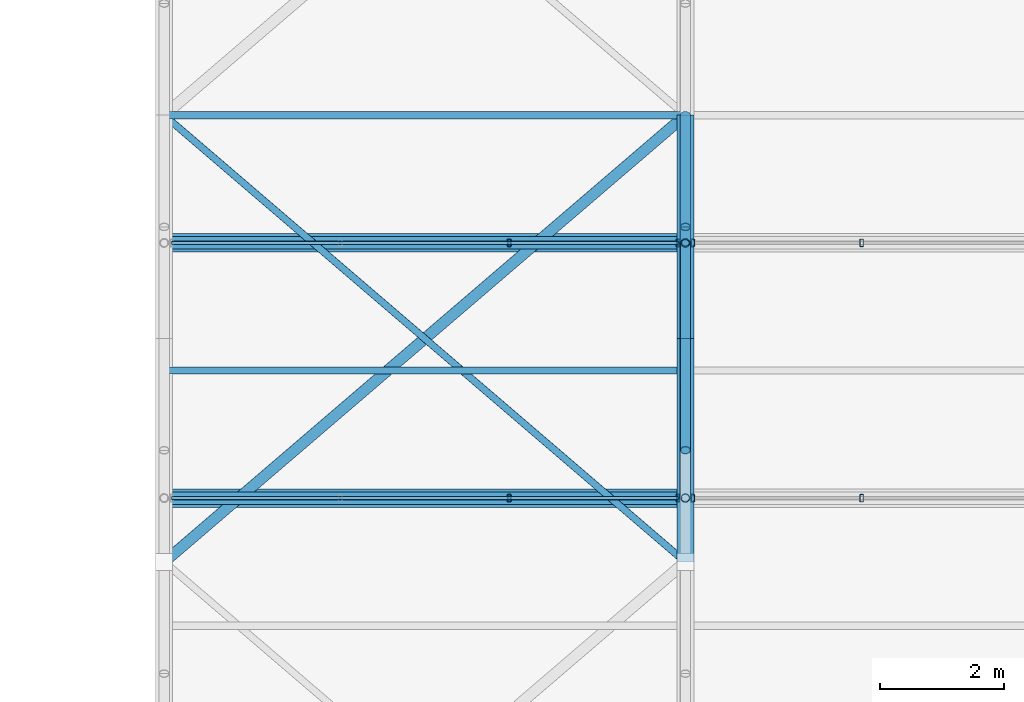
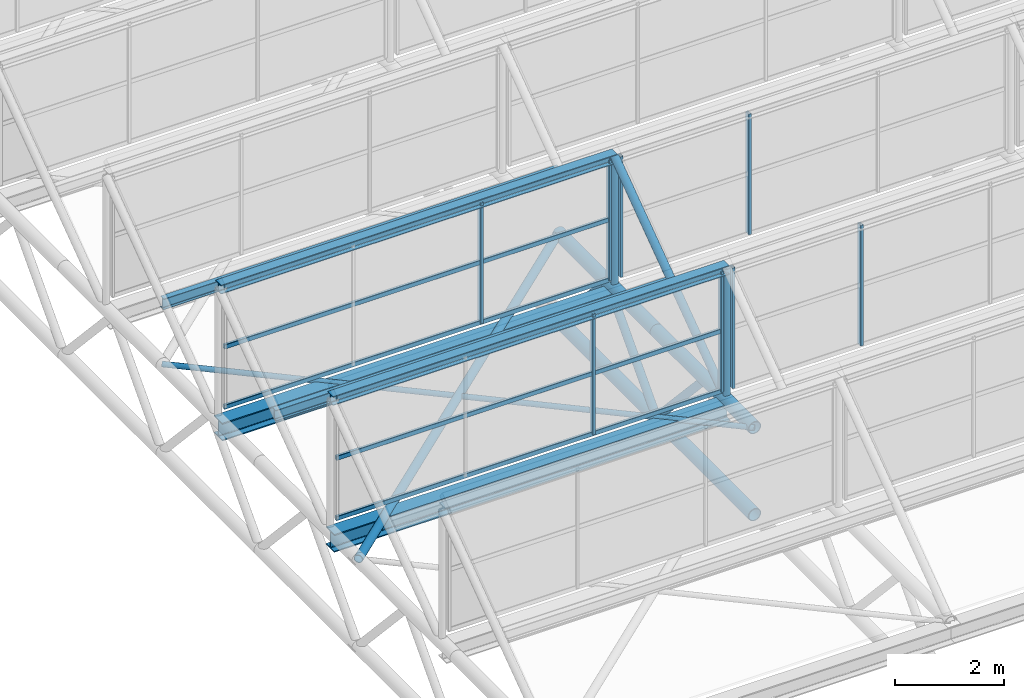
# One storey, part 58 of 134: 26 members, 6 beams, 4 elements without a shape of their own.
"""IFC4 building model written with IfcOpenShell, lengths in metres."""

from ifc_helpers import new_model, si_unit, derived_unit, direction, frame, origin, origin_2d, place, context, subcontext, project, spatial, hollow_rectangle, hollow_circle, i_section, extrude, material, material_profile, profile_set, type_object, element, aggregate, save


model = new_model("IFC4")

# Units and contexts
model_context = context("Model", 3, precision=1e-05, world=origin(), true_north=direction((0.0, 1.0)))
body_context = subcontext(model_context, "Body", "Model", "MODEL_VIEW")
ifc_project = project(units=[si_unit("LENGTHUNIT", "METRE"), si_unit("AREAUNIT", "SQUARE_METRE"), si_unit("VOLUMEUNIT", "CUBIC_METRE"), si_unit("PLANEANGLEUNIT", "RADIAN"), si_unit("MASSUNIT", "GRAM", prefix="KILO"), derived_unit("THERMALTRANSMITTANCEUNIT", [(si_unit("MASSUNIT", "GRAM", prefix="KILO"), 1), (si_unit("TIMEUNIT", "SECOND"), -3), (si_unit("THERMODYNAMICTEMPERATUREUNIT", "KELVIN"), -1)])], contexts=[model_context])

# Site, building, storey
site_placement = place(None, origin())
site = spatial("IfcSite", under=ifc_project, at=site_placement, CompositionType="ELEMENT")
building_placement = place(site_placement, origin())
building = spatial("IfcBuilding", under=site, at=building_placement, Name="Kharveza Railside Sports Centre", CompositionType="ELEMENT")
storey_placement = place(building_placement, frame((0.0, 0.0, 12.89990234375)))
storey = spatial("IfcBuildingStorey", under=building, at=storey_placement, Name="L03", CompositionType="ELEMENT", Elevation=12.89990234375)

# Beams
ifc_material_1 = material(Name="Steel S355J2", Category="steel")
ifc_material_profile_1 = material_profile(ifc_material_1, i_section(OverallWidth=0.300048828125, OverallDepth=0.39990234375, WebThickness=0.013427734375, FlangeThickness=0.02392578125, FilletRadius=0.027099609375, at=origin_2d()), Name="HEB 400")
ifc_profile_set_1 = profile_set([ifc_material_profile_1], Name="Steel S355J2")
beam_type_1 = type_object("IfcBeamType", Name="BM-G07", PredefinedType="T_BEAM", material=ifc_profile_set_1)
for number, where, z_axis, x_axis, name in (
    (1, (92.39990234375, 87.4287109375, 1.760009765625), (1.0, 0.0, 0.0), (0.0, 1.0, 0.0), "BM-V2SAW-VAL-3-1"),
    (2, (92.39990234375, 91.54296875, 1.760009765625), (1.0, 0.0, 0.0), (0.0, 1.0, 0.0), "BM-V2SAW-VAL-4-1"),
):
    element("IfcBeam", number, at=place(storey_placement, frame(where, z_axis=z_axis, x_axis=x_axis)), inside=storey, type_object=beam_type_1, Name=name, PredefinedType="T_BEAM", context=body_context, shape_type="SweptSolid", body=[
        extrude(i_section(OverallWidth=0.300048828125, OverallDepth=0.39990234375, WebThickness=0.013427734375, FlangeThickness=0.02392578125, FilletRadius=0.027099609375, at=origin_2d()), origin(), (0.0, 0.0, 1.0), 8.400146484375),
    ])
ifc_material_2 = material(Name="Steel S275JR", Category="steel")
ifc_material_profile_2 = material_profile(ifc_material_2, i_section(OverallWidth=0.1201171875, OverallDepth=0.239990234375, WebThickness=0.006103515625, FlangeThickness=0.009765625, FilletRadius=0.014892578125, at=origin_2d()), Name="IPE 240")
ifc_profile_set_2 = profile_set([ifc_material_profile_2], Name="Steel S275JR")
beam_type_2 = type_object("IfcBeamType", Name="BM-J01", PredefinedType="JOIST", material=ifc_profile_set_2)
for number, where, z_axis, x_axis, name in (
    (3, (92.39990234375, 89.485595703125, 3.320068359375), (1.0, 0.0, 0.0), (0.0, 1.0, 0.0), "BM-V2SAW-PUR-3-1"),
    (4, (92.39990234375, 93.60009765625, 3.320068359375), (1.0, 0.0, 0.0), (0.0, 1.0, 0.0), "BM-V2SAW-PUR-4-1"),
):
    element("IfcBeam", number, at=place(storey_placement, frame(where, z_axis=z_axis, x_axis=x_axis)), inside=storey, type_object=beam_type_2, Name=name, PredefinedType="JOIST", context=body_context, shape_type="SweptSolid", body=[
        extrude(i_section(OverallWidth=0.1201171875, OverallDepth=0.239990234375, WebThickness=0.006103515625, FlangeThickness=0.009765625, FilletRadius=0.014892578125, at=origin_2d()), origin(), (0.0, 0.0, 1.0), 8.400146484375),
    ])
ifc_material_profile_3 = material_profile(ifc_material_2, i_section(OverallWidth=0.199951171875, OverallDepth=0.199951171875, WebThickness=0.009033203125, FlangeThickness=0.014892578125, FilletRadius=0.01806640625, at=origin_2d()), Name="HEB 200")
ifc_profile_set_3 = profile_set([ifc_material_profile_3], Name="Steel S275JR")
beam_type_3 = type_object("IfcBeamType", Name="BM-J05", PredefinedType="JOIST", material=ifc_profile_set_3)
for number, where, z_axis, x_axis, name in (
    (5, (92.39990234375, 87.4287109375, 4.920166015625), (1.0, 0.0, 0.0), (0.0, 1.0, 0.0), "BM-V2SAW-RDG-2-1"),
    (6, (92.39990234375, 91.54296875, 4.920166015625), (1.0, 0.0, 0.0), (0.0, 1.0, 0.0), "BM-V2SAW-RDG-3-1"),
):
    element("IfcBeam", number, at=place(storey_placement, frame(where, z_axis=z_axis, x_axis=x_axis)), inside=storey, type_object=beam_type_3, Name=name, PredefinedType="JOIST", context=body_context, shape_type="SweptSolid", body=[
        extrude(i_section(OverallWidth=0.199951171875, OverallDepth=0.199951171875, WebThickness=0.009033203125, FlangeThickness=0.014892578125, FilletRadius=0.01806640625, at=origin_2d()), origin(), (0.0, 0.0, 1.0), 8.400146484375),
    ])

# Curtain wall, members
ifc_material_3 = material(Name="Low-E solar-control laminated glass", Category="glass")
curtain_wall_type = type_object("IfcCurtainWallType", Name="CW-NL02", PredefinedType="NOTDEFINED", material=ifc_material_3)
curtain_wall_1_placement = place(storey_placement, origin())
curtain_wall_1 = element("IfcCurtainWall", 7, at=curtain_wall_1_placement, inside=storey, type_object=curtain_wall_type, Name="CW-V2NL-2-1", PredefinedType="NOTDEFINED")
ifc_material_4 = material(Name="Anodised aluminium 6063-T6", Category="aluminium")
ifc_material_profile_4 = material_profile(ifc_material_4, hollow_rectangle(XDim=0.06005859375, YDim=0.1201171875, WallThickness=0.0048828125, InnerFilletRadius=0.0048828125, OuterFilletRadius=0.010009765625, at=origin_2d()), Name="RHS 60x120x5.0")
ifc_profile_set_4 = profile_set([ifc_material_profile_4], Name="Anodised aluminium 6063-T6")
member_type_1 = type_object("IfcMemberType", Name="CW-ML05", PredefinedType="MULLION", material=ifc_profile_set_4)
member_1_placement = place(storey_placement, frame((97.9599609375, 87.4287109375, 2.2001953125), z_axis=(0.0, 0.0, 1.0), x_axis=(1.0, 0.0, 0.0)))
member_1 = element("IfcMember", 8, at=member_1_placement, type_object=member_type_1, Name="CW-V2NL-2-1-ML3", PredefinedType="MULLION", context=body_context, shape_type="SweptSolid", body=[
    extrude(hollow_rectangle(XDim=0.06005859375, YDim=0.1201171875, WallThickness=0.0048828125, InnerFilletRadius=0.0048828125, OuterFilletRadius=0.010009765625, at=origin_2d()), origin(), (0.0, 0.0, 1.0), 2.699951171875),
])
member_2_placement = place(storey_placement, frame((100.679931640625, 87.4287109375, 2.2001953125), z_axis=(0.0, 0.0, 1.0), x_axis=(1.0, 0.0, 0.0)))
member_2 = element("IfcMember", 9, at=member_2_placement, type_object=member_type_1, Name="CW-V2NL-2-1-ML4", PredefinedType="MULLION", context=body_context, shape_type="SweptSolid", body=[
    extrude(hollow_rectangle(XDim=0.06005859375, YDim=0.1201171875, WallThickness=0.0048828125, InnerFilletRadius=0.0048828125, OuterFilletRadius=0.010009765625, at=origin_2d()), origin(), (0.0, 0.0, 1.0), 2.699951171875),
])

curtain_wall_2_placement = place(storey_placement, origin())
curtain_wall_2 = element("IfcCurtainWall", 10, at=curtain_wall_2_placement, inside=storey, type_object=curtain_wall_type, Name="CW-V2NL-2-2", PredefinedType="NOTDEFINED")
member_3_placement = place(storey_placement, frame((100.919921875, 87.4287109375, 2.2001953125), z_axis=(0.0, 0.0, 1.0), x_axis=(1.0, 0.0, 0.0)))
member_3 = element("IfcMember", 11, at=member_3_placement, type_object=member_type_1, Name="CW-V2NL-2-2-ML1", PredefinedType="MULLION", context=body_context, shape_type="SweptSolid", body=[
    extrude(hollow_rectangle(XDim=0.06005859375, YDim=0.1201171875, WallThickness=0.0048828125, InnerFilletRadius=0.0048828125, OuterFilletRadius=0.010009765625, at=origin_2d()), origin(), (0.0, 0.0, 1.0), 2.699951171875),
])
member_4_placement = place(storey_placement, frame((103.639892578125, 87.4287109375, 2.2001953125), z_axis=(0.0, 0.0, 1.0), x_axis=(1.0, 0.0, 0.0)))
member_4 = element("IfcMember", 12, at=member_4_placement, type_object=member_type_1, Name="CW-V2NL-2-2-ML2", PredefinedType="MULLION", context=body_context, shape_type="SweptSolid", body=[
    extrude(hollow_rectangle(XDim=0.06005859375, YDim=0.1201171875, WallThickness=0.0048828125, InnerFilletRadius=0.0048828125, OuterFilletRadius=0.010009765625, at=origin_2d()), origin(), (0.0, 0.0, 1.0), 2.699951171875),
])
aggregate(curtain_wall_2, [member_3, member_4])

curtain_wall_3_placement = place(storey_placement, origin())
curtain_wall_3 = element("IfcCurtainWall", 13, at=curtain_wall_3_placement, inside=storey, type_object=curtain_wall_type, Name="CW-V2NL-3-1", PredefinedType="NOTDEFINED")
member_5_placement = place(storey_placement, frame((97.9599609375, 91.54296875, 2.2001953125), z_axis=(0.0, 0.0, 1.0), x_axis=(1.0, 0.0, 0.0)))
member_5 = element("IfcMember", 14, at=member_5_placement, type_object=member_type_1, Name="CW-V2NL-3-1-ML3", PredefinedType="MULLION", context=body_context, shape_type="SweptSolid", body=[
    extrude(hollow_rectangle(XDim=0.06005859375, YDim=0.1201171875, WallThickness=0.0048828125, InnerFilletRadius=0.0048828125, OuterFilletRadius=0.010009765625, at=origin_2d()), origin(), (0.0, 0.0, 1.0), 2.699951171875),
])
member_6_placement = place(storey_placement, frame((100.679931640625, 91.54296875, 2.2001953125), z_axis=(0.0, 0.0, 1.0), x_axis=(1.0, 0.0, 0.0)))
member_6 = element("IfcMember", 15, at=member_6_placement, type_object=member_type_1, Name="CW-V2NL-3-1-ML4", PredefinedType="MULLION", context=body_context, shape_type="SweptSolid", body=[
    extrude(hollow_rectangle(XDim=0.06005859375, YDim=0.1201171875, WallThickness=0.0048828125, InnerFilletRadius=0.0048828125, OuterFilletRadius=0.010009765625, at=origin_2d()), origin(), (0.0, 0.0, 1.0), 2.699951171875),
])

curtain_wall_4_placement = place(storey_placement, origin())
curtain_wall_4 = element("IfcCurtainWall", 16, at=curtain_wall_4_placement, inside=storey, type_object=curtain_wall_type, Name="CW-V2NL-3-2", PredefinedType="NOTDEFINED")
member_7_placement = place(storey_placement, frame((100.919921875, 91.54296875, 2.2001953125), z_axis=(0.0, 0.0, 1.0), x_axis=(1.0, 0.0, 0.0)))
member_7 = element("IfcMember", 17, at=member_7_placement, type_object=member_type_1, Name="CW-V2NL-3-2-ML1", PredefinedType="MULLION", context=body_context, shape_type="SweptSolid", body=[
    extrude(hollow_rectangle(XDim=0.06005859375, YDim=0.1201171875, WallThickness=0.0048828125, InnerFilletRadius=0.0048828125, OuterFilletRadius=0.010009765625, at=origin_2d()), origin(), (0.0, 0.0, 1.0), 2.699951171875),
])
member_8_placement = place(storey_placement, frame((103.639892578125, 91.54296875, 2.2001953125), z_axis=(0.0, 0.0, 1.0), x_axis=(1.0, 0.0, 0.0)))
member_8 = element("IfcMember", 18, at=member_8_placement, type_object=member_type_1, Name="CW-V2NL-3-2-ML2", PredefinedType="MULLION", context=body_context, shape_type="SweptSolid", body=[
    extrude(hollow_rectangle(XDim=0.06005859375, YDim=0.1201171875, WallThickness=0.0048828125, InnerFilletRadius=0.0048828125, OuterFilletRadius=0.010009765625, at=origin_2d()), origin(), (0.0, 0.0, 1.0), 2.699951171875),
])
aggregate(curtain_wall_4, [member_7, member_8])

# Member
ifc_material_profile_5 = material_profile(ifc_material_4, hollow_rectangle(XDim=0.06005859375, YDim=0.10009765625, WallThickness=0.00390625, InnerFilletRadius=0.00390625, OuterFilletRadius=0.008056640625, at=origin_2d()), Name="RHS 60x100x4.0")
ifc_profile_set_5 = profile_set([ifc_material_profile_5], Name="Anodised aluminium 6063-T6")
member_type_2 = type_object("IfcMemberType", Name="CW-TR05", PredefinedType="USERDEFINED", material=ifc_profile_set_5)
member_9_placement = place(storey_placement, frame((92.52001953125, 87.4287109375, 2.2001953125), z_axis=(1.0, 0.0, 0.0), x_axis=(0.0, 1.0, 0.0)))
member_9 = element("IfcMember", 19, at=member_9_placement, type_object=member_type_2, Name="CW-V2NL-2-1-TR1", ObjectType="TRANSOM", PredefinedType="USERDEFINED", context=body_context, shape_type="SweptSolid", body=[
    extrude(hollow_rectangle(XDim=0.06005859375, YDim=0.10009765625, WallThickness=0.00390625, InnerFilletRadius=0.00390625, OuterFilletRadius=0.008056640625, at=origin_2d()), origin(), (0.0, 0.0, 1.0), 8.159912109375),
])

member_10_placement = place(storey_placement, frame((92.52001953125, 87.4287109375, 3.550048828125), z_axis=(1.0, 0.0, 0.0), x_axis=(0.0, 1.0, 0.0)))
member_10 = element("IfcMember", 20, at=member_10_placement, type_object=member_type_2, Name="CW-V2NL-2-1-TR2", ObjectType="TRANSOM", PredefinedType="USERDEFINED", context=body_context, shape_type="SweptSolid", body=[
    extrude(hollow_rectangle(XDim=0.06005859375, YDim=0.10009765625, WallThickness=0.00390625, InnerFilletRadius=0.00390625, OuterFilletRadius=0.008056640625, at=origin_2d()), origin(), (0.0, 0.0, 1.0), 8.159912109375),
])

member_11_placement = place(storey_placement, frame((92.52001953125, 87.4287109375, 4.900146484375), z_axis=(1.0, 0.0, 0.0), x_axis=(0.0, 1.0, 0.0)))
member_11 = element("IfcMember", 21, at=member_11_placement, type_object=member_type_2, Name="CW-V2NL-2-1-TR3", ObjectType="TRANSOM", PredefinedType="USERDEFINED", context=body_context, shape_type="SweptSolid", body=[
    extrude(hollow_rectangle(XDim=0.06005859375, YDim=0.10009765625, WallThickness=0.00390625, InnerFilletRadius=0.00390625, OuterFilletRadius=0.008056640625, at=origin_2d()), origin(), (0.0, 0.0, 1.0), 8.159912109375),
])

aggregate(curtain_wall_1, [member_1, member_2, member_9, member_10, member_11])

member_12_placement = place(storey_placement, frame((92.52001953125, 91.54296875, 2.2001953125), z_axis=(1.0, 0.0, 0.0), x_axis=(0.0, 1.0, 0.0)))
member_12 = element("IfcMember", 22, at=member_12_placement, type_object=member_type_2, Name="CW-V2NL-3-1-TR1", ObjectType="TRANSOM", PredefinedType="USERDEFINED", context=body_context, shape_type="SweptSolid", body=[
    extrude(hollow_rectangle(XDim=0.06005859375, YDim=0.10009765625, WallThickness=0.00390625, InnerFilletRadius=0.00390625, OuterFilletRadius=0.008056640625, at=origin_2d()), origin(), (0.0, 0.0, 1.0), 8.159912109375),
])

member_13_placement = place(storey_placement, frame((92.52001953125, 91.54296875, 3.550048828125), z_axis=(1.0, 0.0, 0.0), x_axis=(0.0, 1.0, 0.0)))
member_13 = element("IfcMember", 23, at=member_13_placement, type_object=member_type_2, Name="CW-V2NL-3-1-TR2", ObjectType="TRANSOM", PredefinedType="USERDEFINED", context=body_context, shape_type="SweptSolid", body=[
    extrude(hollow_rectangle(XDim=0.06005859375, YDim=0.10009765625, WallThickness=0.00390625, InnerFilletRadius=0.00390625, OuterFilletRadius=0.008056640625, at=origin_2d()), origin(), (0.0, 0.0, 1.0), 8.159912109375),
])

member_14_placement = place(storey_placement, frame((92.52001953125, 91.54296875, 4.900146484375), z_axis=(1.0, 0.0, 0.0), x_axis=(0.0, 1.0, 0.0)))
member_14 = element("IfcMember", 24, at=member_14_placement, type_object=member_type_2, Name="CW-V2NL-3-1-TR3", ObjectType="TRANSOM", PredefinedType="USERDEFINED", context=body_context, shape_type="SweptSolid", body=[
    extrude(hollow_rectangle(XDim=0.06005859375, YDim=0.10009765625, WallThickness=0.00390625, InnerFilletRadius=0.00390625, OuterFilletRadius=0.008056640625, at=origin_2d()), origin(), (0.0, 0.0, 1.0), 8.159912109375),
])

aggregate(curtain_wall_3, [member_5, member_6, member_12, member_13, member_14])

# Members
ifc_material_profile_6 = material_profile(ifc_material_1, hollow_circle(Radius=0.0888671875, WallThickness=0.010009765625, at=origin_2d()), Name="CHS 177.8x10.0")
ifc_profile_set_6 = profile_set([ifc_material_profile_6], Name="Steel S355J2")
member_type_3 = type_object("IfcMemberType", Name="MB-BR03", PredefinedType="BRACE", material=ifc_profile_set_6)
member_15_placement = place(storey_placement, frame((92.39990234375, 86.39990234375, 1.9501953125), z_axis=(0.759253487039, 0.650795007986, 0.0), x_axis=(-0.650795007986, 0.759253487039, 0.0)))
element("IfcMember", 25, at=member_15_placement, inside=storey, type_object=member_type_3, Name="MB-ROOFBR-V2-1-2A", PredefinedType="BRACE", context=body_context, shape_type="SweptSolid", body=[
    extrude(hollow_circle(Radius=0.0888671875, WallThickness=0.010009765625, at=origin_2d()), origin(), (0.0, 0.0, 1.0), 11.063720703125),
])
ifc_material_profile_7 = material_profile(ifc_material_2, hollow_circle(Radius=0.05712890625, WallThickness=0.00634765625, at=origin_2d()), Name="CHS 114.3x6.3")
ifc_profile_set_7 = profile_set([ifc_material_profile_7], Name="Steel S275JR")
member_type_4 = type_object("IfcMemberType", Name="MB-BR04", PredefinedType="BRACE", material=ifc_profile_set_7)
member_16_placement = place(storey_placement, frame((100.800048828125, 86.39990234375, 1.9501953125), z_axis=(-0.759253487039, 0.650795007986, 0.0), x_axis=(-0.650795007986, -0.759253487039, 0.0)))
element("IfcMember", 26, at=member_16_placement, inside=storey, type_object=member_type_4, Name="MB-ROOFBR-V2-1-2B", PredefinedType="BRACE", context=body_context, shape_type="SweptSolid", body=[
    extrude(hollow_circle(Radius=0.05712890625, WallThickness=0.00634765625, at=origin_2d()), origin(), (0.0, 0.0, 1.0), 11.063720703125),
])
ifc_material_profile_8 = material_profile(ifc_material_1, hollow_circle(Radius=0.136474609375, WallThickness=0.01416015625, at=origin_2d()), Name="CHS 273.0x14.2")
ifc_profile_set_8 = profile_set([ifc_material_profile_8], Name="Steel S355J2")
member_type_5 = type_object("IfcMemberType", Name="MB-CH03", PredefinedType="CHORD", material=ifc_profile_set_8)
for number, where, z_axis, x_axis, name in (
    (27, (100.800048828125, 86.39990234375, 0.0), (0.0, 1.0, 0.0), (-1.0, 0.0, 0.0), "MB-V2TR-BC-2-3"),
    (28, (100.800048828125, 86.39990234375, 1.9501953125), (0.0, 1.0, 0.0), (-1.0, 0.0, 0.0), "MB-V2TR-TC-2-3"),
    (29, (100.800048828125, 90.0, 0.0), (0.0, 1.0, 0.0), (-1.0, 0.0, 0.0), "MB-V2TR-BC-2-4"),
    (30, (100.800048828125, 90.0, 1.9501953125), (0.0, 1.0, 0.0), (-1.0, 0.0, 0.0), "MB-V2TR-TC-2-4"),
):
    element("IfcMember", number, at=place(storey_placement, frame(where, z_axis=z_axis, x_axis=x_axis)), inside=storey, type_object=member_type_5, Name=name, PredefinedType="CHORD", context=body_context, shape_type="SweptSolid", body=[
        extrude(hollow_circle(Radius=0.136474609375, WallThickness=0.01416015625, at=origin_2d()), origin(), (0.0, 0.0, 1.0), 3.60009765625),
    ])
ifc_material_profile_9 = material_profile(ifc_material_1, hollow_circle(Radius=0.084228515625, WallThickness=0.010009765625, at=origin_2d()), Name="CHS 168.3x10.0")
ifc_profile_set_9 = profile_set([ifc_material_profile_9], Name="Steel S355J2")
member_type_6 = type_object("IfcMemberType", Name="MB-ST03", PredefinedType="STRUT", material=ifc_profile_set_9)
for number, where, z_axis, x_axis, name in (
    (31, (100.800048828125, 88.199951171875, 1.9501953125), (0.0, 0.67825335715, -0.734828131956), (-1.0, 0.0, 0.0), "MB-V2TR-D2-2-3"),
    (32, (100.800048828125, 90.0, 0.0), (0.0, 0.67825335715, 0.734828131956), (-1.0, 0.0, 0.0), "MB-V2TR-D1-2-4"),
    (33, (100.800048828125, 91.800048828125, 1.9501953125), (0.0, 0.67825335715, -0.734828131956), (-1.0, 0.0, 0.0), "MB-V2TR-D2-2-4"),
):
    element("IfcMember", number, at=place(storey_placement, frame(where, z_axis=z_axis, x_axis=x_axis)), inside=storey, type_object=member_type_6, Name=name, PredefinedType="STRUT", context=body_context, shape_type="SweptSolid", body=[
        extrude(hollow_circle(Radius=0.084228515625, WallThickness=0.010009765625, at=origin_2d()), origin(), (0.0, 0.0, 1.0), 2.654052734375),
    ])
member_17_placement = place(storey_placement, frame((100.800048828125, 87.4287109375, 1.9501953125), z_axis=(0.0, 0.810813691418, 0.585304329225), x_axis=(-1.0, 0.0, 0.0)))
element("IfcMember", 34, at=member_17_placement, inside=storey, type_object=member_type_6, Name="MB-V2SAW-RFT-3-2", PredefinedType="STRUT", context=body_context, shape_type="SweptSolid", body=[
    extrude(hollow_circle(Radius=0.084228515625, WallThickness=0.010009765625, at=origin_2d()), origin(), (0.0, 0.0, 1.0), 5.07421875),
])
ifc_material_profile_10 = material_profile(ifc_material_1, hollow_circle(Radius=0.06982421875, WallThickness=0.008056640625, at=origin_2d()), Name="CHS 139.7x8.0")
ifc_profile_set_10 = profile_set([ifc_material_profile_10], Name="Steel S355J2")
member_type_7 = type_object("IfcMemberType", Name="MB-ST04", PredefinedType="STRUT", material=ifc_profile_set_10)
for number, where, z_axis, x_axis, name in (
    (35, (100.800048828125, 87.4287109375, 1.9501953125), (0.0, 0.0, 1.0), (1.0, 0.0, 0.0), "MB-V2SAW-PST-2-2"),
    (36, (100.800048828125, 91.54296875, 1.9501953125), (0.0, 0.0, 1.0), (1.0, 0.0, 0.0), "MB-V2SAW-PST-3-2"),
):
    element("IfcMember", number, at=place(storey_placement, frame(where, z_axis=z_axis, x_axis=x_axis)), inside=storey, type_object=member_type_7, Name=name, PredefinedType="STRUT", context=body_context, shape_type="SweptSolid", body=[
        extrude(hollow_circle(Radius=0.06982421875, WallThickness=0.008056640625, at=origin_2d()), origin(), (0.0, 0.0, 1.0), 2.969970703125),
    ])

save(model, "model.ifc")
